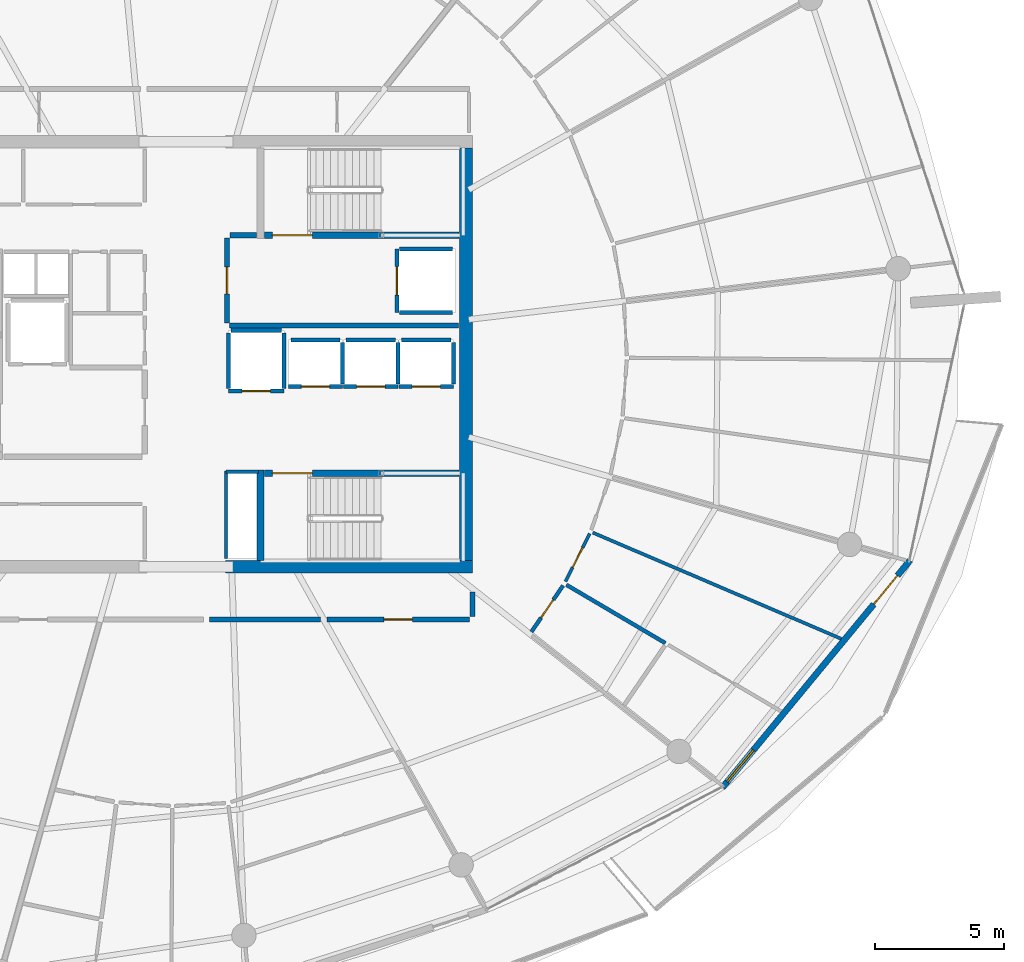
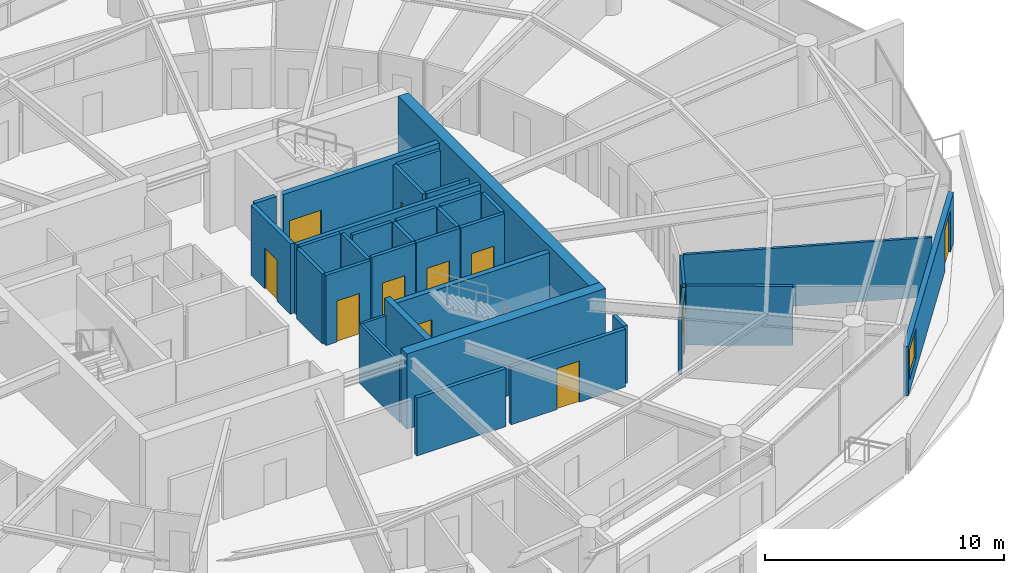
# One storey, part 19 of 29: 34 walls, 12 doors, 1 window, 13 openings.
"""IFC4 building model written with IfcOpenShell, lengths in metres."""

from ifc_helpers import new_model, si_unit, direction, frame, frame_2d, origin, place, context, subcontext, project, spatial, rectangle, extrude, material, layer, layer_set, type_object, element, fill, save


model = new_model("IFC4")

# Units and contexts
model_context = context("Model", 3, precision=1e-05, world=origin(), true_north=direction((0.0, 1.0)))
body_context = subcontext(model_context, "Body", "Model", "MODEL_VIEW")
ifc_project = project(units=[si_unit("LENGTHUNIT", "METRE"), si_unit("AREAUNIT", "SQUARE_METRE"), si_unit("VOLUMEUNIT", "CUBIC_METRE"), si_unit("PLANEANGLEUNIT", "RADIAN"), si_unit("MASSUNIT", "GRAM", prefix="KILO")], contexts=[model_context])

# Site, building, storey
site_placement = place(None, origin())
site = spatial("IfcSite", under=ifc_project, at=site_placement, CompositionType="ELEMENT")
building_placement = place(site_placement, origin())
building = spatial("IfcBuilding", under=site, at=building_placement, Name="Kazma Halo Residences", CompositionType="ELEMENT")
storey_placement = place(building_placement, frame((0.0, 0.0, 286.75)))
storey = spatial("IfcBuildingStorey", under=building, at=storey_placement, Name="L72", CompositionType="ELEMENT", Elevation=286.75)

# Walls
ifc_material_1 = material(Name="Concrete C60/75", Category="concrete")
ifc_layer_1 = layer(ifc_material_1, 0.5)
ifc_layer_set_1 = layer_set([ifc_layer_1], Name="Concrete C60/75")
wall_type_1 = type_object("IfcWallType", Name="WL-CORE-500", PredefinedType="SHEAR", material=ifc_layer_set_1)
wall_1_placement = place(storey_placement, frame((49.949951171875, 33.75, 0.0), z_axis=(0.0, 0.0, 1.0), x_axis=(1.0, 0.0, 0.0)))
element("IfcWall", 1, at=wall_1_placement, inside=storey, type_object=wall_type_1, Name="L72 central core shear wall SE", PredefinedType="SHEAR", context=body_context, shape_type="SweptSolid", body=[
    extrude(rectangle(XDim=9.60009765625, YDim=0.5, at=frame_2d((4.800048828125, 0.0))), origin(), (0.0, 0.0, 1.0), 3.85009765625),
])
wall_2_placement = place(storey_placement, frame((59.300048828125, 34.0, 0.0), z_axis=(0.0, 0.0, 1.0), x_axis=(0.0, 1.0, 0.0)))
element("IfcWall", 2, at=wall_2_placement, inside=storey, type_object=wall_type_1, Name="L72 central core shear wall E", PredefinedType="SHEAR", context=body_context, shape_type="SweptSolid", body=[
    extrude(rectangle(XDim=16.0, YDim=0.5, at=frame_2d((8.0, 0.0))), origin(), (0.0, 0.0, 1.0), 3.85009765625),
])
ifc_layer_2 = layer(ifc_material_1, 0.280029296875)
ifc_layer_set_2 = layer_set([ifc_layer_2], Name="Concrete C60/75")
wall_type_2 = type_object("IfcWallType", Name="WL-CORE-ST-280", PredefinedType="SHEAR", material=ifc_layer_set_2)
wall_3_placement = place(storey_placement, frame((51.31005859375, 34.0, 0.0), z_axis=(0.0, 0.0, 1.0), x_axis=(0.0, 1.0, 0.0)))
element("IfcWall", 3, at=wall_3_placement, inside=storey, type_object=wall_type_2, Name="L72 stairwell bearing wall ST03-W", PredefinedType="SHEAR", context=body_context, shape_type="SweptSolid", body=[
    extrude(rectangle(XDim=3.5, YDim=0.280029296875, at=frame_2d((1.75, 0.0))), origin(), (0.0, 0.0, 1.0), 3.85009765625),
])

# Wall, opening, door
ifc_material_2 = material(Name="Acoustic Twin-Stud Gypsum")
ifc_layer_3 = layer(ifc_material_2, 0.179931640625)
ifc_layer_set_3 = layer_set([ifc_layer_3], Name="Acoustic Twin-Stud Gypsum")
wall_type_3 = type_object("IfcWallType", Name="WL-DEM-180", PredefinedType="PARTITIONING", material=ifc_layer_set_3)
wall_4_placement = place(storey_placement, frame((53.88818359375, 31.699951171875, 0.0), z_axis=(0.0, 0.0, 1.0), x_axis=(1.0, 0.0, 0.0)))
wall_4 = element("IfcWall", 4, at=wall_4_placement, inside=storey, type_object=wall_type_3, Name="L72 Apartment 2 entrance corridor wall", PredefinedType="PARTITIONING", context=body_context, shape_type="SweptSolid", body=[
    extrude(rectangle(XDim=5.541748046875, YDim=0.179931640625, at=frame_2d((2.77099609375, 0.0))), origin(), (0.0, 0.0, 1.0), 2.95703125),
])
opening_1_placement = place(wall_4_placement, frame((2.220703125, 0.0, 0.0)))
opening_1 = element("IfcOpeningElement", 5, at=opening_1_placement, cuts=wall_4, Name="Opening DA-1100", PredefinedType="OPENING", context=body_context, shape_type="SweptSolid", body=[
    extrude(rectangle(XDim=1.10009765625, YDim=2.10009765625, at=frame_2d((0.550048828125, 1.050048828125))), frame((0.0, 0.099853515625, 0.0), z_axis=(0.0, -1.0, 0.0), x_axis=(1.0, 0.0, 0.0)), (0.0, 0.0, 1.0), 0.199951171875),
])
ifc_material_3 = material(Name="Acoustic Walnut Fire Leaf")
door_type_1 = type_object("IfcDoorType", Name="DR-FD60-1100", OperationType="NOTDEFINED", PredefinedType="DOOR", material=ifc_material_3)
door_1_placement = place(opening_1_placement, origin())
door_1 = element("IfcDoor", 6, at=door_1_placement, inside=storey, type_object=door_type_1, Name="L72 Apartment 2 entrance fire door", OperationType="SINGLE_SWING_LEFT", OverallHeight=2.10009765625, OverallWidth=1.10009765625, PredefinedType="DOOR", context=body_context, shape_type="SweptSolid", body=[
    extrude(rectangle(XDim=1.10009765625, YDim=2.10009765625, at=frame_2d((0.550048828125, 1.050048828125))), frame((0.0, 0.02490234375, 0.0), z_axis=(0.0, -1.0, 0.0), x_axis=(1.0, 0.0, 0.0)), (0.0, 0.0, 1.0), 0.050048828125),
])
fill(opening_1, door_1)

# Walls
wall_5_placement = place(storey_placement, frame((59.550048828125, 31.820068359375, 0.0), z_axis=(0.0, 0.0, 1.0), x_axis=(0.0, 1.0, 0.0)))
element("IfcWall", 7, at=wall_5_placement, inside=storey, type_object=wall_type_3, Name="L72 Apartment 2 entrance corridor wall", PredefinedType="PARTITIONING", context=body_context, shape_type="SweptSolid", body=[
    extrude(rectangle(XDim=0.95458984375, YDim=0.179931640625, at=frame_2d((0.477294921875, 0.0))), origin(), (0.0, 0.0, 1.0), 2.95703125),
])
wall_6_placement = place(storey_placement, frame((49.339111328125, 31.699951171875, 0.0), z_axis=(0.0, 0.0, 1.0), x_axis=(1.0, 0.0, 0.0)))
element("IfcWall", 8, at=wall_6_placement, inside=storey, type_object=wall_type_3, Name="L72 Apartment 2 inner wall 11", PredefinedType="PARTITIONING", context=body_context, shape_type="SweptSolid", body=[
    extrude(rectangle(XDim=4.30908203125, YDim=0.179931640625, at=frame_2d((2.154541015625, 0.0))), origin(), (0.0, 0.0, 1.0), 2.95703125),
])

# Wall, openings, door, window
ifc_material_4 = material(Name="Insulated Pale-Metal Composite Wall")
ifc_layer_4 = layer(ifc_material_4, 0.239990234375)
ifc_layer_set_4 = layer_set([ifc_layer_4], Name="Insulated Pale-Metal Composite Wall")
wall_type_4 = type_object("IfcWallType", Name="WL-EXT-HOST-240", PredefinedType="SOLIDWALL", material=ifc_layer_set_4)
wall_7_placement = place(storey_placement, frame((69.2578125, 25.177978515625, 0.0), z_axis=(0.0, 0.0, 1.0), x_axis=(0.636680093065, 0.771128043255, 0.0)))
wall_7 = element("IfcWall", 9, at=wall_7_placement, inside=storey, type_object=wall_type_4, Name="L72 exterior terrace-access wall B14", PredefinedType="SOLIDWALL", context=body_context, shape_type="SweptSolid", body=[
    extrude(rectangle(XDim=11.438232421875, YDim=0.239990234375, at=frame_2d((5.71923828125, 0.0))), origin(), (0.0, 0.0, 1.0), 2.5400390625),
])
opening_2_placement = place(wall_7_placement, frame((9.21826171875, 0.0, 0.0)))
opening_2 = element("IfcOpeningElement", 10, at=opening_2_placement, cuts=wall_7, Name="Opening DTR-1600", PredefinedType="OPENING", context=body_context, shape_type="SweptSolid", body=[
    extrude(rectangle(XDim=1.449951171875, YDim=2.14990234375, at=frame_2d((0.72509765625, 1.074951171875))), frame((0.0, 0.1298828125, 0.0), z_axis=(0.0, -1.0, 0.0), x_axis=(1.0, 0.0, 0.0)), (0.0, 0.0, 1.0), 0.260009765625),
])
opening_3_placement = place(wall_7_placement, frame((0.280029296875, 0.0, 0.64990234375)))
opening_3 = element("IfcOpeningElement", 11, at=opening_3_placement, cuts=wall_7, Name="Opening W-1800", PredefinedType="OPENING", context=body_context, shape_type="SweptSolid", body=[
    extrude(rectangle(XDim=1.60009765625, YDim=1.5, at=frame_2d((0.800048828125, 0.75))), frame((0.0, 0.1298828125, 0.0), z_axis=(0.0, -1.0, 0.0), x_axis=(1.0, 0.0, 0.0)), (0.0, 0.0, 1.0), 0.260009765625),
])
ifc_material_5 = material(Name="Aluminium AW-6063 T6 Double-Glazed Terrace Door", Category="aluminium")
door_type_2 = type_object("IfcDoorType", Name="DR-EXT-TERR-1600", OperationType="NOTDEFINED", PredefinedType="DOOR", material=ifc_material_5)
door_2_placement = place(opening_2_placement, origin())
door_2 = element("IfcDoor", 12, at=door_2_placement, inside=storey, type_object=door_type_2, Name="L72 B14 balcony terrace door", OperationType="DOUBLE_DOOR_SLIDING", OverallHeight=2.14990234375, OverallWidth=1.449951171875, PredefinedType="DOOR", context=body_context, shape_type="SweptSolid", body=[
    extrude(rectangle(XDim=1.449951171875, YDim=2.14990234375, at=frame_2d((0.72509765625, 1.074951171875))), frame((0.0, 0.02490234375, 0.0), z_axis=(0.0, -1.0, 0.0), x_axis=(1.0, 0.0, 0.0)), (0.0, 0.0, 1.0), 0.050048828125),
])
fill(opening_2, door_2)
ifc_material_6 = material(Name="Clear Triple-Silver Low-E Glass in Aluminium AW-6063 T6 Frame", Category="aluminium")
window_type = type_object("IfcWindowType", Name="WIN-RES-1800", PartitioningType="DOUBLE_PANEL_VERTICAL", PredefinedType="WINDOW", material=ifc_material_6)
window_placement = place(opening_3_placement, origin())
window = element("IfcWindow", 13, at=window_placement, inside=storey, type_object=window_type, Name="L72 B14 apartment window", OverallHeight=1.5, OverallWidth=1.60009765625, PartitioningType="SINGLE_PANEL", PredefinedType="WINDOW", context=body_context, shape_type="SweptSolid", body=[
    extrude(rectangle(XDim=1.60009765625, YDim=1.5, at=frame_2d((0.800048828125, 0.75))), frame((0.0, 0.030029296875, 0.0), z_axis=(0.0, -1.0, 0.0), x_axis=(1.0, 0.0, 0.0)), (0.0, 0.0, 1.0), 0.06005859375),
])
fill(opening_3, window)

# Wall, opening, door
ifc_material_7 = material(Name="Fire-Rated Blockwork Masonry", Category="masonry")
ifc_layer_5 = layer(ifc_material_7, 0.199951171875)
ifc_layer_set_5 = layer_set([ifc_layer_5], Name="Fire-Rated Blockwork Masonry")
wall_type_5 = type_object("IfcWallType", Name="WL-FLB-200", PredefinedType="PARTITIONING", material=ifc_layer_set_5)
wall_8_placement = place(storey_placement, frame((54.5048828125, 40.7451171875, 0.0), z_axis=(0.0, 0.0, 1.0), x_axis=(-1.0, 0.0, 0.0)))
wall_8 = element("IfcWall", 14, at=wall_8_placement, inside=storey, type_object=wall_type_5, Name="L72 lift shaft PH-01 front wall", PredefinedType="PARTITIONING", context=body_context, shape_type="SweptSolid", body=[
    extrude(rectangle(XDim=2.10986328125, YDim=0.159912109375, at=frame_2d((1.054931640625, 0.0))), origin(), (0.0, 0.0, 1.0), 3.590087890625),
])
opening_4_placement = place(wall_8_placement, frame((0.5048828125, 0.0, 0.0)))
opening_4 = element("IfcOpeningElement", 15, at=opening_4_placement, cuts=wall_8, Name="Opening LD-PH-01", PredefinedType="OPENING", context=body_context, shape_type="SweptSolid", body=[
    extrude(rectangle(XDim=1.10009765625, YDim=2.10009765625, at=frame_2d((0.550048828125, 1.050048828125))), frame((0.0, 0.08984375, 0.0), z_axis=(0.0, -1.0, 0.0), x_axis=(1.0, 0.0, 0.0)), (0.0, 0.0, 1.0), 0.179931640625),
])
ifc_material_8 = material(Name="Stainless Steel Fire-Rated", Category="steel")
door_type_3 = type_object("IfcDoorType", Name="DR-LIFT-SLD-1100", OperationType="DOUBLE_DOOR_SLIDING", PredefinedType="DOOR", material=ifc_material_8)
door_3_placement = place(opening_4_placement, origin())
door_3 = element("IfcDoor", 16, at=door_3_placement, inside=storey, type_object=door_type_3, Name="L72 lift PH-01 sliding landing door", OperationType="DOUBLE_DOOR_SLIDING", OverallHeight=2.10009765625, OverallWidth=1.10009765625, PredefinedType="DOOR", context=body_context, shape_type="SweptSolid", body=[
    extrude(rectangle(XDim=1.10009765625, YDim=2.10009765625, at=frame_2d((0.550048828125, 1.050048828125))), frame((0.0, 0.02490234375, 0.0), z_axis=(0.0, -1.0, 0.0), x_axis=(1.0, 0.0, 0.0)), (0.0, 0.0, 1.0), 0.050048828125),
])
fill(opening_4, door_3)

# Walls
wall_9_placement = place(storey_placement, frame((54.5048828125, 40.844970703125, 0.0), z_axis=(0.0, 0.0, 1.0), x_axis=(0.0, 1.0, 0.0)))
element("IfcWall", 17, at=wall_9_placement, inside=storey, type_object=wall_type_5, Name="L72 lift shaft PH-01 side wall E", PredefinedType="PARTITIONING", context=body_context, shape_type="SweptSolid", body=[
    extrude(rectangle(XDim=1.610107421875, YDim=0.159912109375, at=frame_2d((0.80517578125, 0.0))), origin(), (0.0, 0.0, 1.0), 3.590087890625),
])
wall_10_placement = place(storey_placement, frame((52.4951171875, 42.554931640625, 0.0), z_axis=(0.0, 0.0, 1.0), x_axis=(1.0, 0.0, 0.0)))
element("IfcWall", 18, at=wall_10_placement, inside=storey, type_object=wall_type_5, Name="L72 lift shaft PH-01 side wall N", PredefinedType="PARTITIONING", context=body_context, shape_type="SweptSolid", body=[
    extrude(rectangle(XDim=1.909912109375, YDim=0.159912109375, at=frame_2d((0.955078125, 0.0))), origin(), (0.0, 0.0, 1.0), 3.590087890625),
])

# Wall, opening, door
wall_11_placement = place(storey_placement, frame((56.655029296875, 40.7451171875, 0.0), z_axis=(0.0, 0.0, 1.0), x_axis=(-1.0, 0.0, 0.0)))
wall_11 = element("IfcWall", 19, at=wall_11_placement, inside=storey, type_object=wall_type_5, Name="L72 lift shaft PH-02 front wall", PredefinedType="PARTITIONING", context=body_context, shape_type="SweptSolid", body=[
    extrude(rectangle(XDim=2.110107421875, YDim=0.159912109375, at=frame_2d((1.05517578125, 0.0))), origin(), (0.0, 0.0, 1.0), 3.590087890625),
])
opening_5_placement = place(wall_11_placement, frame((0.5048828125, 0.0, 0.0)))
opening_5 = element("IfcOpeningElement", 20, at=opening_5_placement, cuts=wall_11, Name="Opening LD-PH-02", PredefinedType="OPENING", context=body_context, shape_type="SweptSolid", body=[
    extrude(rectangle(XDim=1.10009765625, YDim=2.10009765625, at=frame_2d((0.550048828125, 1.050048828125))), frame((0.0, 0.08984375, 0.0), z_axis=(0.0, -1.0, 0.0), x_axis=(1.0, 0.0, 0.0)), (0.0, 0.0, 1.0), 0.179931640625),
])
door_4_placement = place(opening_5_placement, origin())
door_4 = element("IfcDoor", 21, at=door_4_placement, inside=storey, type_object=door_type_3, Name="L72 lift PH-02 sliding landing door", OperationType="DOUBLE_DOOR_SLIDING", OverallHeight=2.10009765625, OverallWidth=1.10009765625, PredefinedType="DOOR", context=body_context, shape_type="SweptSolid", body=[
    extrude(rectangle(XDim=1.10009765625, YDim=2.10009765625, at=frame_2d((0.550048828125, 1.050048828125))), frame((0.0, 0.02490234375, 0.0), z_axis=(0.0, -1.0, 0.0), x_axis=(1.0, 0.0, 0.0)), (0.0, 0.0, 1.0), 0.050048828125),
])
fill(opening_5, door_4)

# Walls
wall_12_placement = place(storey_placement, frame((56.655029296875, 40.844970703125, 0.0), z_axis=(0.0, 0.0, 1.0), x_axis=(0.0, 1.0, 0.0)))
element("IfcWall", 22, at=wall_12_placement, inside=storey, type_object=wall_type_5, Name="L72 lift shaft PH-02 side wall E", PredefinedType="PARTITIONING", context=body_context, shape_type="SweptSolid", body=[
    extrude(rectangle(XDim=1.610107421875, YDim=0.159912109375, at=frame_2d((0.80517578125, 0.0))), origin(), (0.0, 0.0, 1.0), 3.590087890625),
])
wall_13_placement = place(storey_placement, frame((54.64501953125, 42.554931640625, 0.0), z_axis=(0.0, 0.0, 1.0), x_axis=(1.0, 0.0, 0.0)))
element("IfcWall", 23, at=wall_13_placement, inside=storey, type_object=wall_type_5, Name="L72 lift shaft PH-02 side wall N", PredefinedType="PARTITIONING", context=body_context, shape_type="SweptSolid", body=[
    extrude(rectangle(XDim=1.909912109375, YDim=0.159912109375, at=frame_2d((0.955078125, 0.0))), origin(), (0.0, 0.0, 1.0), 3.590087890625),
])

# Wall, opening, door
wall_14_placement = place(storey_placement, frame((58.804931640625, 40.7451171875, 0.0), z_axis=(0.0, 0.0, 1.0), x_axis=(-1.0, 0.0, 0.0)))
wall_14 = element("IfcWall", 24, at=wall_14_placement, inside=storey, type_object=wall_type_5, Name="L72 lift shaft PH-03 front wall", PredefinedType="PARTITIONING", context=body_context, shape_type="SweptSolid", body=[
    extrude(rectangle(XDim=2.10986328125, YDim=0.159912109375, at=frame_2d((1.054931640625, 0.0))), origin(), (0.0, 0.0, 1.0), 3.590087890625),
])
opening_6_placement = place(wall_14_placement, frame((0.5048828125, 0.0, 0.0)))
opening_6 = element("IfcOpeningElement", 25, at=opening_6_placement, cuts=wall_14, Name="Opening LD-PH-03", PredefinedType="OPENING", context=body_context, shape_type="SweptSolid", body=[
    extrude(rectangle(XDim=1.10009765625, YDim=2.10009765625, at=frame_2d((0.550048828125, 1.050048828125))), frame((0.0, 0.08984375, 0.0), z_axis=(0.0, -1.0, 0.0), x_axis=(1.0, 0.0, 0.0)), (0.0, 0.0, 1.0), 0.179931640625),
])
door_5_placement = place(opening_6_placement, origin())
door_5 = element("IfcDoor", 26, at=door_5_placement, inside=storey, type_object=door_type_3, Name="L72 lift PH-03 sliding landing door", OperationType="DOUBLE_DOOR_SLIDING", OverallHeight=2.10009765625, OverallWidth=1.10009765625, PredefinedType="DOOR", context=body_context, shape_type="SweptSolid", body=[
    extrude(rectangle(XDim=1.10009765625, YDim=2.10009765625, at=frame_2d((0.550048828125, 1.050048828125))), frame((0.0, 0.02490234375, 0.0), z_axis=(0.0, -1.0, 0.0), x_axis=(1.0, 0.0, 0.0)), (0.0, 0.0, 1.0), 0.050048828125),
])
fill(opening_6, door_5)

# Walls
wall_15_placement = place(storey_placement, frame((58.804931640625, 40.844970703125, 0.0), z_axis=(0.0, 0.0, 1.0), x_axis=(0.0, 1.0, 0.0)))
element("IfcWall", 27, at=wall_15_placement, inside=storey, type_object=wall_type_5, Name="L72 lift shaft PH-03 side wall E", PredefinedType="PARTITIONING", context=body_context, shape_type="SweptSolid", body=[
    extrude(rectangle(XDim=1.610107421875, YDim=0.159912109375, at=frame_2d((0.80517578125, 0.0))), origin(), (0.0, 0.0, 1.0), 3.590087890625),
])
wall_16_placement = place(storey_placement, frame((56.794921875, 42.554931640625, 0.0), z_axis=(0.0, 0.0, 1.0), x_axis=(1.0, 0.0, 0.0)))
element("IfcWall", 28, at=wall_16_placement, inside=storey, type_object=wall_type_5, Name="L72 lift shaft PH-03 side wall N", PredefinedType="PARTITIONING", context=body_context, shape_type="SweptSolid", body=[
    extrude(rectangle(XDim=1.91015625, YDim=0.159912109375, at=frame_2d((0.955078125, 0.0))), origin(), (0.0, 0.0, 1.0), 3.590087890625),
])

# Wall, opening, door
wall_17_placement = place(storey_placement, frame((56.6201171875, 46.080078125, 0.0), z_axis=(0.0, 0.0, 1.0), x_axis=(0.0, -1.0, 0.0)))
wall_17 = element("IfcWall", 29, at=wall_17_placement, inside=storey, type_object=wall_type_5, Name="L72 lift shaft FL-02 front wall", PredefinedType="PARTITIONING", context=body_context, shape_type="SweptSolid", body=[
    extrude(rectangle(XDim=2.4599609375, YDim=0.159912109375, at=frame_2d((1.22998046875, 0.0))), origin(), (0.0, 0.0, 1.0), 3.590087890625),
])
opening_7_placement = place(wall_17_placement, frame((0.679931640625, 0.0, 0.0)))
opening_7 = element("IfcOpeningElement", 30, at=opening_7_placement, cuts=wall_17, Name="Opening LD-FL-02", PredefinedType="OPENING", context=body_context, shape_type="SweptSolid", body=[
    extrude(rectangle(XDim=1.10009765625, YDim=2.10009765625, at=frame_2d((0.550048828125, 1.050048828125))), frame((0.0, 0.08984375, 0.0), z_axis=(0.0, -1.0, 0.0), x_axis=(1.0, 0.0, 0.0)), (0.0, 0.0, 1.0), 0.179931640625),
])
door_6_placement = place(opening_7_placement, origin())
door_6 = element("IfcDoor", 31, at=door_6_placement, inside=storey, type_object=door_type_3, Name="L72 lift FL-02 sliding landing door", OperationType="DOUBLE_DOOR_SLIDING", OverallHeight=2.10009765625, OverallWidth=1.10009765625, PredefinedType="DOOR", context=body_context, shape_type="SweptSolid", body=[
    extrude(rectangle(XDim=1.10009765625, YDim=2.10009765625, at=frame_2d((0.550048828125, 1.050048828125))), frame((0.0, 0.02490234375, 0.0), z_axis=(0.0, -1.0, 0.0), x_axis=(1.0, 0.0, 0.0)), (0.0, 0.0, 1.0), 0.050048828125),
])
fill(opening_7, door_6)

# Walls
for number, where, z_axis, x_axis, name in (
    (32, (56.719970703125, 46.080078125, 0.0), (0.0, 0.0, 1.0), (1.0, 0.0, 0.0), "L72 lift shaft FL-02 side wall N"),
    (33, (56.719970703125, 43.6201171875, 0.0), (0.0, 0.0, 1.0), (1.0, 0.0, 0.0), "L72 lift shaft FL-02 side wall S"),
):
    element("IfcWall", number, at=place(storey_placement, frame(where, z_axis=z_axis, x_axis=x_axis)), inside=storey, type_object=wall_type_5, Name=name, PredefinedType="PARTITIONING", context=body_context, shape_type="SweptSolid", body=[
        extrude(rectangle(XDim=2.06005859375, YDim=0.159912109375, at=frame_2d((1.030029296875, 0.0))), origin(), (0.0, 0.0, 1.0), 3.590087890625),
    ])

# Wall, opening, door
wall_18_placement = place(storey_placement, frame((52.22998046875, 40.570068359375, 0.0), z_axis=(0.0, 0.0, 1.0), x_axis=(-1.0, 0.0, 0.0)))
wall_18 = element("IfcWall", 34, at=wall_18_placement, inside=storey, type_object=wall_type_5, Name="L72 lift shaft SV-01 front wall", PredefinedType="PARTITIONING", context=body_context, shape_type="SweptSolid", body=[
    extrude(rectangle(XDim=2.159912109375, YDim=0.159912109375, at=frame_2d((1.080078125, 0.0))), origin(), (0.0, 0.0, 1.0), 3.590087890625),
])
opening_8_placement = place(wall_18_placement, frame((0.530029296875, 0.0, 0.0)))
opening_8 = element("IfcOpeningElement", 35, at=opening_8_placement, cuts=wall_18, Name="Opening LD-SV-01", PredefinedType="OPENING", context=body_context, shape_type="SweptSolid", body=[
    extrude(rectangle(XDim=1.10009765625, YDim=2.10009765625, at=frame_2d((0.550048828125, 1.050048828125))), frame((0.0, 0.08984375, 0.0), z_axis=(0.0, -1.0, 0.0), x_axis=(1.0, 0.0, 0.0)), (0.0, 0.0, 1.0), 0.179931640625),
])
door_7_placement = place(opening_8_placement, origin())
door_7 = element("IfcDoor", 36, at=door_7_placement, inside=storey, type_object=door_type_3, Name="L72 lift SV-01 sliding landing door", OperationType="DOUBLE_DOOR_SLIDING", OverallHeight=2.10009765625, OverallWidth=1.10009765625, PredefinedType="DOOR", context=body_context, shape_type="SweptSolid", body=[
    extrude(rectangle(XDim=1.10009765625, YDim=2.10009765625, at=frame_2d((0.550048828125, 1.050048828125))), frame((0.0, 0.02490234375, 0.0), z_axis=(0.0, -1.0, 0.0), x_axis=(1.0, 0.0, 0.0)), (0.0, 0.0, 1.0), 0.050048828125),
])
fill(opening_8, door_7)

# Walls
for number, where, z_axis, x_axis, name in (
    (37, (52.22998046875, 40.669921875, 0.0), (0.0, 0.0, 1.0), (0.0, 1.0, 0.0), "L72 lift shaft SV-01 side wall E"),
    (38, (50.070068359375, 40.669921875, 0.0), (0.0, 0.0, 1.0), (0.0, 1.0, 0.0), "L72 lift shaft SV-01 side wall W"),
):
    element("IfcWall", number, at=place(storey_placement, frame(where, z_axis=z_axis, x_axis=x_axis)), inside=storey, type_object=wall_type_5, Name=name, PredefinedType="PARTITIONING", context=body_context, shape_type="SweptSolid", body=[
        extrude(rectangle(XDim=2.16015625, YDim=0.159912109375, at=frame_2d((1.080078125, 0.0))), origin(), (0.0, 0.0, 1.0), 3.590087890625),
    ])
wall_19_placement = place(storey_placement, frame((50.169921875, 42.929931640625, 0.0), z_axis=(0.0, 0.0, 1.0), x_axis=(1.0, 0.0, 0.0)))
element("IfcWall", 39, at=wall_19_placement, inside=storey, type_object=wall_type_5, Name="L72 lift shaft SV-01 side wall N", PredefinedType="PARTITIONING", context=body_context, shape_type="SweptSolid", body=[
    extrude(rectangle(XDim=1.9599609375, YDim=0.159912109375, at=frame_2d((0.97998046875, 0.0))), origin(), (0.0, 0.0, 1.0), 3.590087890625),
])
wall_20_placement = place(storey_placement, frame((50.1201171875, 43.1201171875, 0.0), z_axis=(0.0, 0.0, 1.0), x_axis=(1.0, 0.0, 0.0)))
element("IfcWall", 40, at=wall_20_placement, inside=storey, type_object=wall_type_5, Name="L72 east firefighting lobby south smoke wall", PredefinedType="PARTITIONING", context=body_context, shape_type="SweptSolid", body=[
    extrude(rectangle(XDim=8.8798828125, YDim=0.199951171875, at=frame_2d((4.43994140625, 0.0))), origin(), (0.0, 0.0, 1.0), 3.590087890625),
])
wall_21_placement = place(storey_placement, frame((50.139892578125, 46.6201171875, 0.0), z_axis=(0.0, 0.0, 1.0), x_axis=(1.0, 0.0, 0.0)))
element("IfcWall", 41, at=wall_21_placement, inside=storey, type_object=wall_type_5, Name="L72 east firefighting lobby north closure wall", PredefinedType="PARTITIONING", context=body_context, shape_type="SweptSolid", body=[
    extrude(rectangle(XDim=1.02001953125, YDim=0.199951171875, at=frame_2d((0.510009765625, 0.0))), origin(), (0.0, 0.0, 1.0), 3.590087890625),
])

# Wall, opening, door
wall_22_placement = place(storey_placement, frame((50.02001953125, 43.219970703125, 0.0), z_axis=(0.0, 0.0, 1.0), x_axis=(0.0, 1.0, 0.0)))
wall_22 = element("IfcWall", 42, at=wall_22_placement, inside=storey, type_object=wall_type_5, Name="L72 east firefighting lobby smoke wall", PredefinedType="PARTITIONING", context=body_context, shape_type="SweptSolid", body=[
    extrude(rectangle(XDim=3.300048828125, YDim=0.199951171875, at=frame_2d((1.64990234375, 0.0))), origin(), (0.0, 0.0, 1.0), 3.590087890625),
])
opening_9_placement = place(wall_22_placement, frame((1.125, 0.0, 0.0)))
opening_9 = element("IfcOpeningElement", 43, at=opening_9_placement, cuts=wall_22, Name="Opening D-FLE", PredefinedType="OPENING", context=body_context, shape_type="SweptSolid", body=[
    extrude(rectangle(XDim=1.050048828125, YDim=2.10009765625, at=frame_2d((0.52490234375, 1.050048828125))), frame((0.0, 0.10986328125, 0.0), z_axis=(0.0, -1.0, 0.0), x_axis=(1.0, 0.0, 0.0)), (0.0, 0.0, 1.0), 0.219970703125),
])
ifc_material_9 = material(Name="Fire-Rated Steel Leaf", Category="steel")
door_type_4 = type_object("IfcDoorType", Name="DR-FD90-1050", OperationType="NOTDEFINED", PredefinedType="DOOR", material=ifc_material_9)
door_8_placement = place(opening_9_placement, origin())
door_8 = element("IfcDoor", 44, at=door_8_placement, inside=storey, type_object=door_type_4, Name="L72 east firefighting lobby smoke door", OperationType="SINGLE_SWING_RIGHT", OverallHeight=2.10009765625, OverallWidth=1.050048828125, PredefinedType="DOOR", context=body_context, shape_type="SweptSolid", body=[
    extrude(rectangle(XDim=1.050048828125, YDim=2.10009765625, at=frame_2d((0.52490234375, 1.050048828125))), frame((0.0, 0.02490234375, 0.0), z_axis=(0.0, -1.0, 0.0), x_axis=(1.0, 0.0, 0.0)), (0.0, 0.0, 1.0), 0.050048828125),
])
fill(opening_9, door_8)

# Walls
ifc_material_10 = material(Name="Gypsum Plasterboard Partition")
ifc_layer_6 = layer(ifc_material_10, 0.125)
ifc_layer_set_6 = layer_set([ifc_layer_6], Name="Gypsum Plasterboard Partition")
wall_type_6 = type_object("IfcWallType", Name="WL-PART-125", PredefinedType="PARTITIONING", material=ifc_layer_set_6)
wall_23_placement = place(storey_placement, frame((49.97998046875, 34.06005859375, 0.0), z_axis=(0.0, 0.0, 1.0), x_axis=(0.0, 1.0, 0.0)))
element("IfcWall", 45, at=wall_23_placement, inside=storey, type_object=wall_type_6, Name="L72 standpipe riser wall", PredefinedType="PARTITIONING", context=body_context, shape_type="SweptSolid", body=[
    extrude(rectangle(XDim=3.39990234375, YDim=0.125, at=frame_2d((1.699951171875, 0.0))), origin(), (0.0, 0.0, 1.0), 3.030029296875),
])
wall_24_placement = place(storey_placement, frame((49.97998046875, 37.43994140625, 0.0), z_axis=(0.0, 0.0, 1.0), x_axis=(1.0, 0.0, 0.0)))
element("IfcWall", 46, at=wall_24_placement, inside=storey, type_object=wall_type_6, Name="L72 standpipe riser north wall", PredefinedType="PARTITIONING", context=body_context, shape_type="SweptSolid", body=[
    extrude(rectangle(XDim=1.260009765625, YDim=0.125, at=frame_2d((0.6298828125, 0.0))), origin(), (0.0, 0.0, 1.0), 3.030029296875),
])
wall_25_placement = place(storey_placement, frame((64.218505859375, 35.072265625, 0.0), z_axis=(0.0, 0.0, 1.0), x_axis=(0.91961011962, -0.392832315235, 0.0)))
element("IfcWall", 47, at=wall_25_placement, inside=storey, type_object=wall_type_6, Name="L72 Apartment 2 suite divider 13", PredefinedType="PARTITIONING", context=body_context, shape_type="SweptSolid", body=[
    extrude(rectangle(XDim=10.4931640625, YDim=0.125, at=frame_2d((5.24658203125, 0.0))), origin(), (0.0, 0.0, 1.0), 3.030029296875),
])

# Wall, opening, door
wall_26_placement = place(storey_placement, frame((63.1572265625, 33.17236328125, 0.0), z_axis=(0.0, 0.0, 1.0), x_axis=(0.451230403471, 0.892407487073, 0.0)))
wall_26 = element("IfcWall", 48, at=wall_26_placement, inside=storey, type_object=wall_type_6, Name="L72 Apartment 2 Inner Private Study hall wall", PredefinedType="PARTITIONING", context=body_context, shape_type="SweptSolid", body=[
    extrude(rectangle(XDim=2.08837890625, YDim=0.125, at=frame_2d((1.044189453125, 0.0))), origin(), (0.0, 0.0, 1.0), 3.030029296875),
])
opening_10_placement = place(wall_26_placement, frame((0.619140625, 0.0, 0.0)))
opening_10 = element("IfcOpeningElement", 49, at=opening_10_placement, cuts=wall_26, Name="Opening DB-900", PredefinedType="OPENING", context=body_context, shape_type="SweptSolid", body=[
    extrude(rectangle(XDim=0.85009765625, YDim=2.06005859375, at=frame_2d((0.425048828125, 1.030029296875))), frame((0.0, 0.072509765625, 0.0), z_axis=(0.0, -1.0, 0.0), x_axis=(1.0, 0.0, 0.0)), (0.0, 0.0, 1.0), 0.14501953125),
])
ifc_material_11 = material(Name="Moisture-Sealed Timber Leaf", Category="wood")
door_type_5 = type_object("IfcDoorType", Name="DR-BTH-900", OperationType="NOTDEFINED", PredefinedType="DOOR", material=ifc_material_11)
door_9_placement = place(opening_10_placement, origin())
door_9 = element("IfcDoor", 50, at=door_9_placement, inside=storey, type_object=door_type_5, Name="L72 Apartment 2 Inner Private Study door", OperationType="SINGLE_SWING_RIGHT", OverallHeight=2.06005859375, OverallWidth=0.85009765625, PredefinedType="DOOR", context=body_context, shape_type="SweptSolid", body=[
    extrude(rectangle(XDim=0.85009765625, YDim=2.06005859375, at=frame_2d((0.425048828125, 1.030029296875))), frame((0.0, 0.02490234375, 0.0), z_axis=(0.0, -1.0, 0.0), x_axis=(1.0, 0.0, 0.0)), (0.0, 0.0, 1.0), 0.050048828125),
])
fill(opening_10, door_9)

ifc_material_12 = material(Name="Concrete C50/60", Category="concrete")
ifc_layer_7 = layer(ifc_material_12, 0.25)
ifc_layer_set_7 = layer_set([ifc_layer_7], Name="Concrete C50/60")
wall_type_7 = type_object("IfcWallType", Name="WL-SHF-250", PredefinedType="SOLIDWALL", material=ifc_layer_set_7)
wall_27_placement = place(storey_placement, frame((51.47998046875, 46.6201171875, 0.0), z_axis=(0.0, 0.0, 1.0), x_axis=(1.0, 0.0, 0.0)))
wall_27 = element("IfcWall", 51, at=wall_27_placement, inside=storey, type_object=wall_type_7, Name="L72 exit stair ST-02 enclosure wall", PredefinedType="SOLIDWALL", context=body_context, shape_type="SweptSolid", body=[
    extrude(rectangle(XDim=7.5400390625, YDim=0.25, at=frame_2d((3.77001953125, 0.0))), origin(), (0.0, 0.0, 1.0), 3.590087890625),
])
opening_11_placement = place(wall_27_placement, frame((0.300048828125, 0.0, 0.0)))
opening_11 = element("IfcOpeningElement", 52, at=opening_11_placement, cuts=wall_27, Name="Opening D-ST2", PredefinedType="OPENING", context=body_context, shape_type="SweptSolid", body=[
    extrude(rectangle(XDim=1.550048828125, YDim=2.14990234375, at=frame_2d((0.77490234375, 1.074951171875))), frame((0.0, 0.135009765625, 0.0), z_axis=(0.0, -1.0, 0.0), x_axis=(1.0, 0.0, 0.0)), (0.0, 0.0, 1.0), 0.27001953125),
])
ifc_material_13 = material(Name="Fire-Rated Double Steel Leaf", Category="steel")
door_type_6 = type_object("IfcDoorType", Name="DR-FD90-1550", OperationType="NOTDEFINED", PredefinedType="DOOR", material=ifc_material_13)
door_10_placement = place(opening_11_placement, origin())
door_10 = element("IfcDoor", 53, at=door_10_placement, inside=storey, type_object=door_type_6, Name="L72 exit stair ST-02 fire door", OperationType="DOUBLE_DOOR_SINGLE_SWING", OverallHeight=2.14990234375, OverallWidth=1.550048828125, PredefinedType="DOOR", context=body_context, shape_type="SweptSolid", body=[
    extrude(rectangle(XDim=1.550048828125, YDim=2.14990234375, at=frame_2d((0.77490234375, 1.074951171875))), frame((0.0, 0.02490234375, 0.0), z_axis=(0.0, -1.0, 0.0), x_axis=(1.0, 0.0, 0.0)), (0.0, 0.0, 1.0), 0.050048828125),
])
fill(opening_11, door_10)

wall_28_placement = place(storey_placement, frame((51.47998046875, 37.3798828125, 0.0), z_axis=(0.0, 0.0, 1.0), x_axis=(1.0, 0.0, 0.0)))
wall_28 = element("IfcWall", 54, at=wall_28_placement, inside=storey, type_object=wall_type_7, Name="L72 exit stair ST-03 enclosure wall", PredefinedType="SOLIDWALL", context=body_context, shape_type="SweptSolid", body=[
    extrude(rectangle(XDim=7.5400390625, YDim=0.25, at=frame_2d((3.77001953125, 0.0))), origin(), (0.0, 0.0, 1.0), 3.590087890625),
])
opening_12_placement = place(wall_28_placement, frame((0.300048828125, 0.0, 0.0)))
opening_12 = element("IfcOpeningElement", 55, at=opening_12_placement, cuts=wall_28, Name="Opening D-ST3", PredefinedType="OPENING", context=body_context, shape_type="SweptSolid", body=[
    extrude(rectangle(XDim=1.550048828125, YDim=2.14990234375, at=frame_2d((0.77490234375, 1.074951171875))), frame((0.0, 0.135009765625, 0.0), z_axis=(0.0, -1.0, 0.0), x_axis=(1.0, 0.0, 0.0)), (0.0, 0.0, 1.0), 0.27001953125),
])
door_11_placement = place(opening_12_placement, origin())
door_11 = element("IfcDoor", 56, at=door_11_placement, inside=storey, type_object=door_type_6, Name="L72 exit stair ST-03 fire door", OperationType="DOUBLE_DOOR_SINGLE_SWING", OverallHeight=2.14990234375, OverallWidth=1.550048828125, PredefinedType="DOOR", context=body_context, shape_type="SweptSolid", body=[
    extrude(rectangle(XDim=1.550048828125, YDim=2.14990234375, at=frame_2d((0.77490234375, 1.074951171875))), frame((0.0, 0.02490234375, 0.0), z_axis=(0.0, -1.0, 0.0), x_axis=(1.0, 0.0, 0.0)), (0.0, 0.0, 1.0), 0.050048828125),
])
fill(opening_12, door_11)

ifc_material_14 = material(Name="Moisture-Resistant Gypsum")
ifc_layer_8 = layer(ifc_material_14, 0.14990234375)
ifc_layer_set_8 = layer_set([ifc_layer_8], Name="Moisture-Resistant Gypsum")
wall_type_8 = type_object("IfcWallType", Name="WL-WET-150", PredefinedType="PARTITIONING", material=ifc_layer_set_8)
wall_29_placement = place(storey_placement, frame((61.835693359375, 31.219970703125, 0.0), z_axis=(0.0, 0.0, 1.0), x_axis=(0.564720073442, 0.825282520505, 0.0)))
wall_29 = element("IfcWall", 57, at=wall_29_placement, inside=storey, type_object=wall_type_8, Name="L72 Apartment 2 North En-Suite Bathroom hall wall", PredefinedType="PARTITIONING", context=body_context, shape_type="SweptSolid", body=[
    extrude(rectangle(XDim=2.178466796875, YDim=0.14990234375, at=frame_2d((1.08935546875, 0.0))), origin(), (0.0, 0.0, 1.0), 2.95703125),
])
opening_13_placement = place(wall_29_placement, frame((0.664306640625, 0.0, 0.0)))
opening_13 = element("IfcOpeningElement", 58, at=opening_13_placement, cuts=wall_29, Name="Opening DB-900", PredefinedType="OPENING", context=body_context, shape_type="SweptSolid", body=[
    extrude(rectangle(XDim=0.85009765625, YDim=2.06005859375, at=frame_2d((0.425048828125, 1.030029296875))), frame((0.0, 0.0849609375, 0.0), z_axis=(0.0, -1.0, 0.0), x_axis=(1.0, 0.0, 0.0)), (0.0, 0.0, 1.0), 0.169921875),
])
door_12_placement = place(opening_13_placement, origin())
door_12 = element("IfcDoor", 59, at=door_12_placement, inside=storey, type_object=door_type_5, Name="L72 Apartment 2 North En-Suite Bathroom door", OperationType="SINGLE_SWING_RIGHT", OverallHeight=2.06005859375, OverallWidth=0.85009765625, PredefinedType="DOOR", context=body_context, shape_type="SweptSolid", body=[
    extrude(rectangle(XDim=0.85009765625, YDim=2.06005859375, at=frame_2d((0.425048828125, 1.030029296875))), frame((0.0, 0.02490234375, 0.0), z_axis=(0.0, -1.0, 0.0), x_axis=(1.0, 0.0, 0.0)), (0.0, 0.0, 1.0), 0.050048828125),
])
fill(opening_13, door_12)

# Wall
wall_30_placement = place(storey_placement, frame((63.194091796875, 33.04638671875, 0.0), z_axis=(0.0, 0.0, 1.0), x_axis=(0.8615329034, -0.507701739566, 0.0)))
element("IfcWall", 60, at=wall_30_placement, inside=storey, type_object=wall_type_8, Name="L72 Apartment 2 North En-Suite Bathroom side wall", PredefinedType="PARTITIONING", context=body_context, shape_type="SweptSolid", body=[
    extrude(rectangle(XDim=4.460205078125, YDim=0.14990234375, at=frame_2d((2.22998046875, 0.0))), origin(), (0.0, 0.0, 1.0), 3.030029296875),
])

save(model, "model.ifc")
